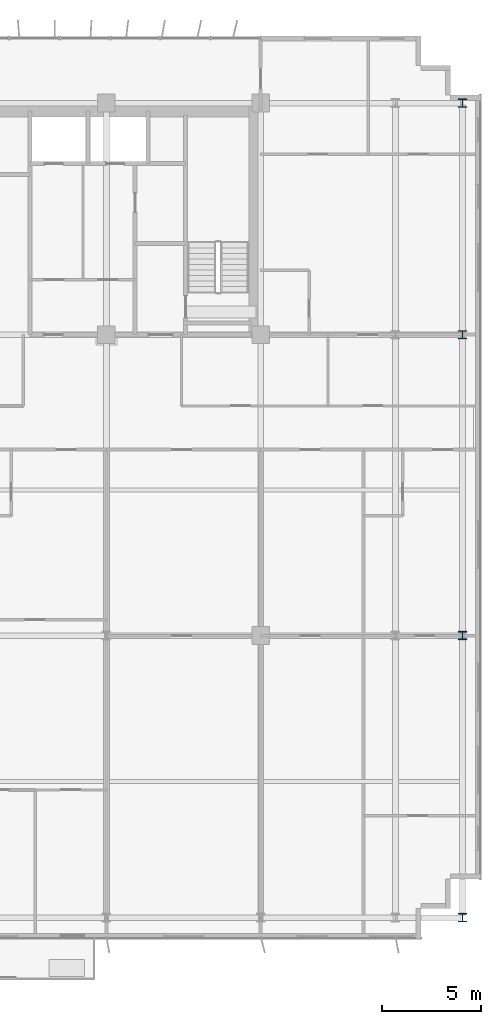
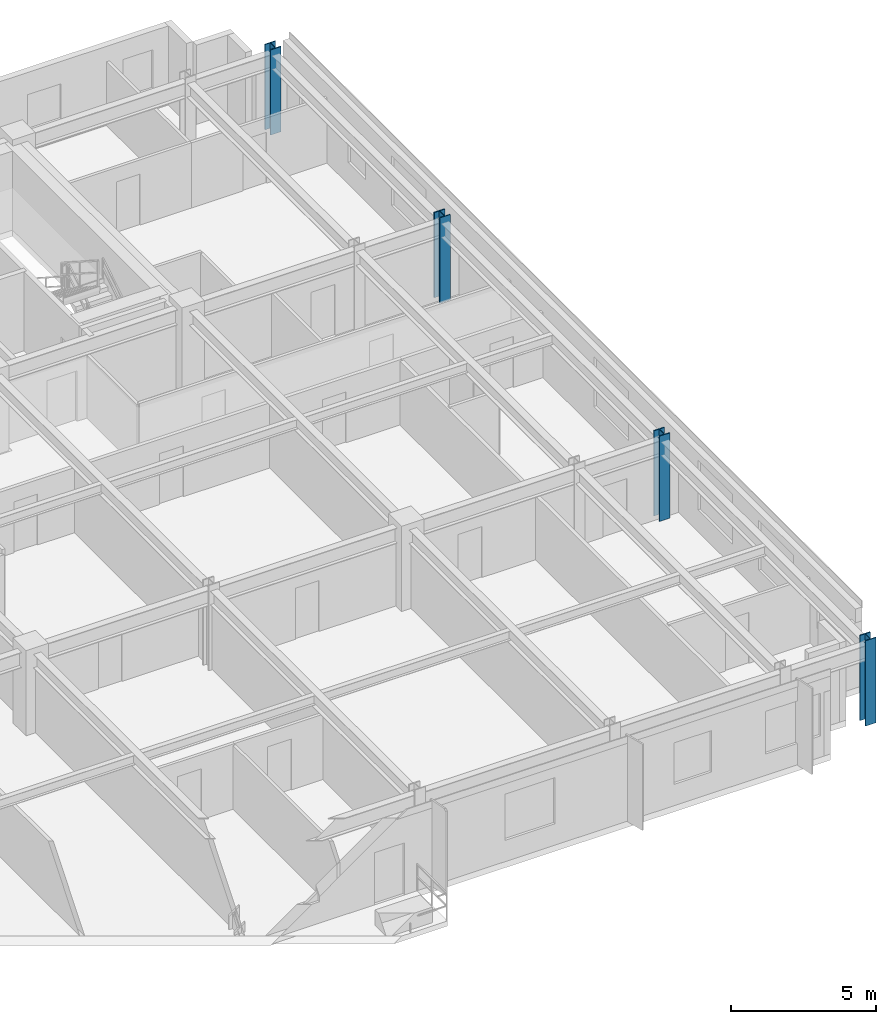
# One storey, part 3 of 22: 4 columns.
"""IFC4 building model written with IfcOpenShell, lengths in metres."""

from ifc_helpers import new_model, si_unit, direction, frame, origin, origin_2d, place, context, subcontext, project, spatial, i_section, extrude, source, transform, mapped, material, material_profile, profile_set, type_object, element, save


model = new_model("IFC4")

# Units and contexts
model_context = context("Model", 3, precision=1e-05, world=origin(), true_north=direction((0.0, 1.0)))
body_context = subcontext(model_context, "Body", "Model", "MODEL_VIEW")
ifc_project = project(units=[si_unit("LENGTHUNIT", "METRE"), si_unit("AREAUNIT", "SQUARE_METRE"), si_unit("VOLUMEUNIT", "CUBIC_METRE"), si_unit("PLANEANGLEUNIT", "RADIAN"), si_unit("MASSUNIT", "GRAM", prefix="KILO")], contexts=[model_context])

# Site, building, storey
site_placement = place(None, origin())
site = spatial("IfcSite", under=ifc_project, at=site_placement, CompositionType="ELEMENT")
building_placement = place(site_placement, origin())
building = spatial("IfcBuilding", under=site, at=building_placement, Name="Trelvane Seafront Commons", CompositionType="ELEMENT")
storey_placement = place(building_placement, frame((0.0, 0.0, 45.10009765625)))
storey = spatial("IfcBuildingStorey", under=building, at=storey_placement, Name="L11", CompositionType="ELEMENT", Elevation=45.10009765625)

# Columns
ifc_material = material(Name="Steel SM355 (S355)", Category="steel")
ifc_material_profile = material_profile(ifc_material, i_section(OverallWidth=0.419921875, OverallDepth=0.419921875, WebThickness=0.02587890625, FlangeThickness=0.0400390625, at=origin_2d()), Name="HD-420x420x26x40")
ifc_profile_set = profile_set([ifc_material_profile], Name="Steel SM355 (S355)")
column_type = type_object("IfcColumnType", Name="STR-COL-HD420", PredefinedType="COLUMN", material=ifc_profile_set)
shared_shape = source(origin(), body_context, "Body", "SweptSolid", [
    extrude(i_section(OverallWidth=0.419921875, OverallDepth=0.419921875, WebThickness=0.02587890625, FlangeThickness=0.0400390625, at=origin_2d()), origin(), (0.0, 0.0, 1.0), 3.599853515625),
])
for number, where, z_axis, x_axis, name in (
    (1, (69.0, 3.949951171875, 0.0), (0.0, 0.0, 1.0), (1.0, 0.0, 0.0), "L11 Column TC-S69.0"),
    (2, (69.0, 18.199951171875, 0.0), (0.0, 0.0, 1.0), (1.0, 0.0, 0.0), "L11 Column TC-M69.0"),
    (3, (69.0, 33.39990234375, 0.0), (0.0, 0.0, 1.0), (1.0, 0.0, 0.0), "L11 Column TC-CS69.0"),
    (4, (69.0, 45.10009765625, 0.0), (0.0, 0.0, 1.0), (1.0, 0.0, 0.0), "L11 Column TC-CN69.0"),
):
    element("IfcColumn", number, at=place(storey_placement, frame(where, z_axis=z_axis, x_axis=x_axis)), inside=storey, type_object=column_type, Name=name, PredefinedType="COLUMN", context=body_context, shape_type="MappedRepresentation", body=[
        mapped(shared_shape, transform((0.0, 0.0, 0.0), x_axis=(1.0, 0.0, 0.0), y_axis=(0.0, 1.0, 0.0), z_axis=(0.0, 0.0, 1.0), scale=1.0)),
    ])

save(model, "model.ifc")
